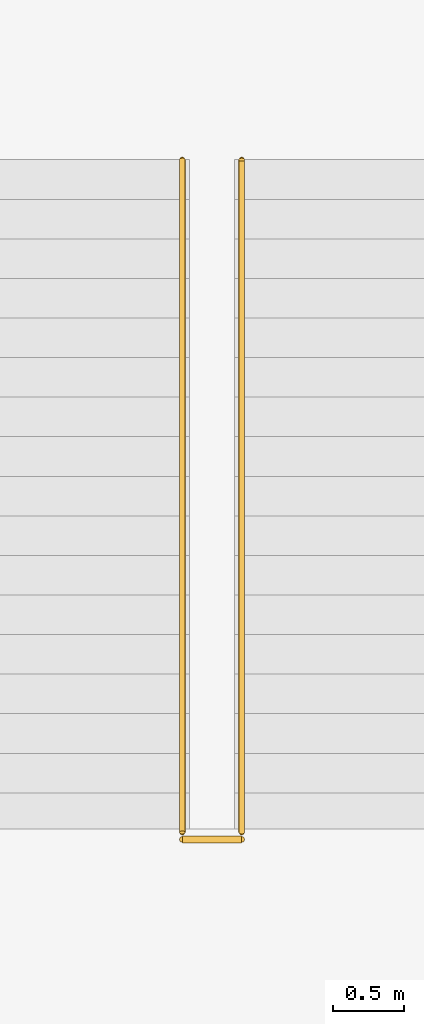
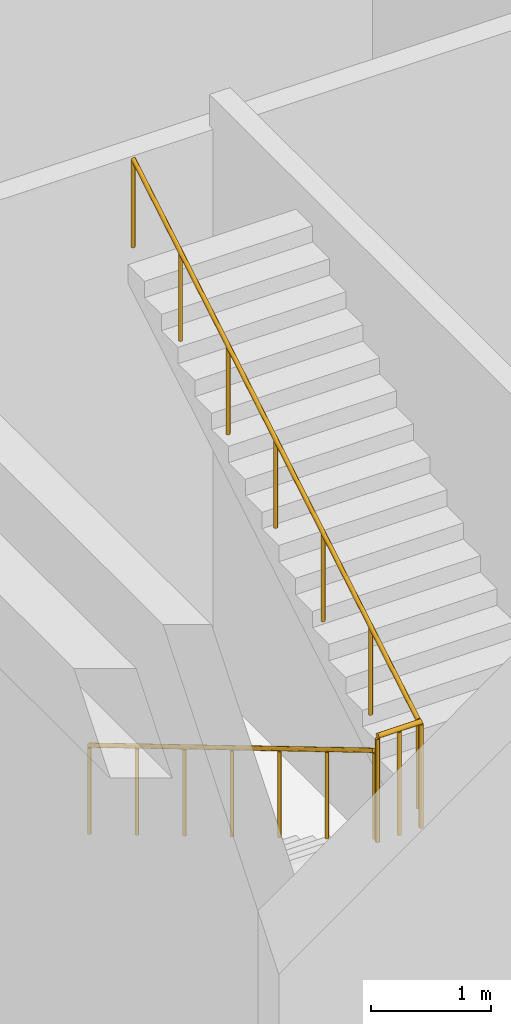
# One storey, part 88 of 91: 3 railings.
"""IFC4 building model written with IfcOpenShell, lengths in metres."""

from ifc_helpers import new_model, si_unit, direction, frame, origin, origin_2d, place, context, subcontext, project, spatial, circle, extrude, material, type_object, element, save


model = new_model("IFC4")

# Units and contexts
model_context = context("Model", 3, precision=1e-05, world=origin(), true_north=direction((0.0, 1.0)))
body_context = subcontext(model_context, "Body", "Model", "MODEL_VIEW")
ifc_project = project(units=[si_unit("LENGTHUNIT", "METRE"), si_unit("AREAUNIT", "SQUARE_METRE"), si_unit("VOLUMEUNIT", "CUBIC_METRE"), si_unit("PLANEANGLEUNIT", "RADIAN"), si_unit("MASSUNIT", "GRAM", prefix="KILO")], contexts=[model_context])

# Site, building, storey
site_placement = place(None, origin())
site = spatial("IfcSite", under=ifc_project, at=site_placement, CompositionType="ELEMENT")
building_placement = place(site_placement, origin())
building = spatial("IfcBuilding", under=site, at=building_placement, Name="Dornveld Trade and Exhibition Forum", CompositionType="ELEMENT")
storey_placement = place(building_placement, origin())
storey = spatial("IfcBuildingStorey", under=building, at=storey_placement, Name="L00", CompositionType="ELEMENT", Elevation=0.0)

# Railings
ifc_material_1 = material(Name="Brushed stainless steel handrail", Category="steel")
railing_type_1 = type_object("IfcRailingType", Name="RL-HAND-920", PredefinedType="HANDRAIL", material=ifc_material_1)
railing_1_placement = place(storey_placement, frame((182.639892578125, 117.35009765625, 0.166748046875)))
element("IfcRailing", 1, at=railing_1_placement, inside=storey, type_object=railing_type_1, Name="ST-12-L00 flight 1 handrail", PredefinedType="HANDRAIL", context=body_context, shape_type="SweptSolid", body=[
    extrude(circle(Radius=0.02099609375, at=origin_2d()), frame((0.0, 0.0, 0.89892578125), z_axis=(0.0, -0.859299802514, 0.511472237174), x_axis=(1.0, 0.0, 0.0)), (0.0, 0.0, 1.0), 5.539306640625),
    extrude(circle(Radius=0.01806640625, at=origin_2d()), origin(), (0.0, 0.0, 1.0), 0.8779296875),
    extrude(circle(Radius=0.01806640625, at=origin_2d()), frame((0.0, -0.79345703125, 0.47216796875)), (0.0, 0.0, 1.0), 0.8779296875),
    extrude(circle(Radius=0.01806640625, at=origin_2d()), frame((0.0, -1.586669921875, 0.9443359375)), (0.0, 0.0, 1.0), 0.8779296875),
    extrude(circle(Radius=0.01806640625, at=origin_2d()), frame((0.0, -2.3798828125, 1.41650390625)), (0.0, 0.0, 1.0), 0.8779296875),
    extrude(circle(Radius=0.01806640625, at=origin_2d()), frame((0.0, -3.17333984375, 1.888916015625)), (0.0, 0.0, 1.0), 0.8779296875),
    extrude(circle(Radius=0.01806640625, at=origin_2d()), frame((0.0, -3.966796875, 2.361083984375)), (0.0, 0.0, 1.0), 0.8779296875),
    extrude(circle(Radius=0.01806640625, at=origin_2d()), frame((0.0, -4.760009765625, 2.833251953125)), (0.0, 0.0, 1.0), 0.8779296875),
])
railing_2_placement = place(storey_placement, frame((183.06005859375, 112.590087890625, 3.166748046875)))
element("IfcRailing", 2, at=railing_2_placement, inside=storey, type_object=railing_type_1, Name="ST-12-L00 flight 2 handrail", PredefinedType="HANDRAIL", context=body_context, shape_type="SweptSolid", body=[
    extrude(circle(Radius=0.02099609375, at=origin_2d()), frame((0.0, 0.0, 0.89892578125), z_axis=(0.0, 0.859299802514, 0.511472237174), x_axis=(-1.0, 0.0, 0.0)), (0.0, 0.0, 1.0), 5.539306640625),
    extrude(circle(Radius=0.01806640625, at=origin_2d()), origin(), (0.0, 0.0, 1.0), 0.8779296875),
    extrude(circle(Radius=0.01806640625, at=origin_2d()), frame((0.0, 0.79345703125, 0.47216796875)), (0.0, 0.0, 1.0), 0.8779296875),
    extrude(circle(Radius=0.01806640625, at=origin_2d()), frame((0.0, 1.586669921875, 0.9443359375)), (0.0, 0.0, 1.0), 0.8779296875),
    extrude(circle(Radius=0.01806640625, at=origin_2d()), frame((0.0, 2.3798828125, 1.41650390625)), (0.0, 0.0, 1.0), 0.8779296875),
    extrude(circle(Radius=0.01806640625, at=origin_2d()), frame((0.0, 3.17333984375, 1.888916015625)), (0.0, 0.0, 1.0), 0.8779296875),
    extrude(circle(Radius=0.01806640625, at=origin_2d()), frame((0.0, 3.966796875, 2.361083984375)), (0.0, 0.0, 1.0), 0.8779296875),
    extrude(circle(Radius=0.01806640625, at=origin_2d()), frame((0.0, 4.760009765625, 2.833251953125)), (0.0, 0.0, 1.0), 0.8779296875),
])
ifc_material_2 = material(Name="Painted steel S355J2 stair-well guard", Category="steel")
railing_type_2 = type_object("IfcRailingType", Name="RL-WELL-110", PredefinedType="GUARDRAIL", material=ifc_material_2)
railing_3_placement = place(storey_placement, frame((182.639892578125, 112.5400390625, 3.0)))
element("IfcRailing", 3, at=railing_3_placement, inside=storey, type_object=railing_type_2, Name="ST-12-L00 half-landing well guard", PredefinedType="GUARDRAIL", context=body_context, shape_type="SweptSolid", body=[
    extrude(circle(Radius=0.02392578125, at=origin_2d()), frame((0.0, 0.0, 1.076171875), z_axis=(1.0, 0.0, 0.0), x_axis=(0.0, 1.0, 0.0)), (0.0, 0.0, 1.0), 0.420166015625),
    extrude(circle(Radius=0.02001953125, at=origin_2d()), origin(), (0.0, 0.0, 1.0), 1.052001953125),
    extrude(circle(Radius=0.02001953125, at=origin_2d()), frame((0.2099609375, 0.0, 0.0)), (0.0, 0.0, 1.0), 1.052001953125),
    extrude(circle(Radius=0.02001953125, at=origin_2d()), frame((0.420166015625, 0.0, 0.0)), (0.0, 0.0, 1.0), 1.052001953125),
])

save(model, "model.ifc")
